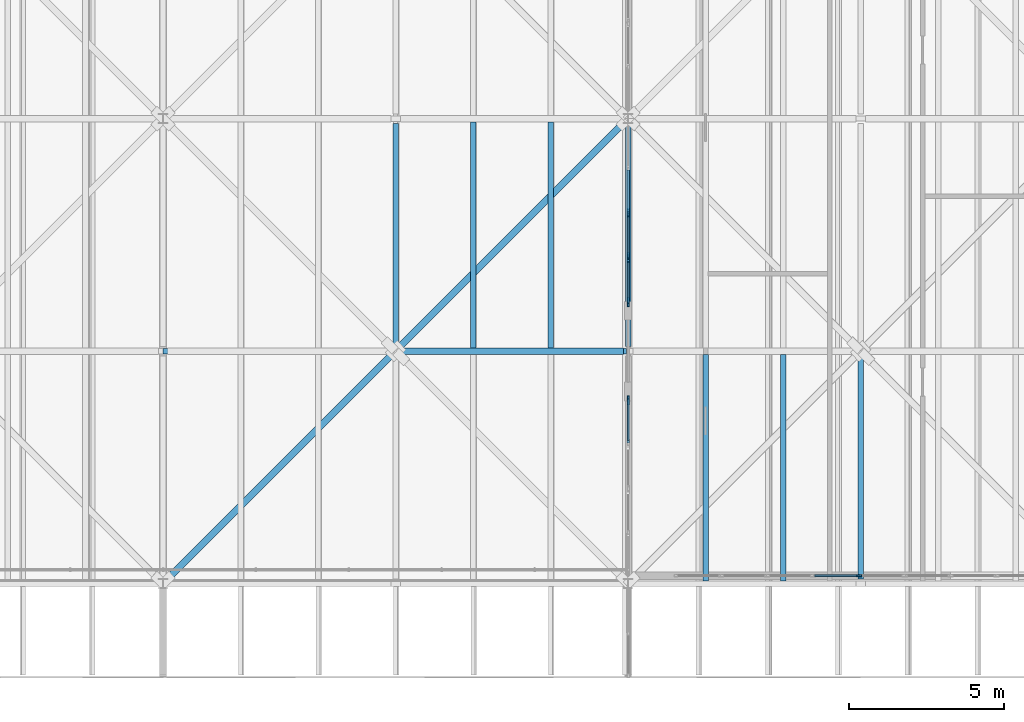
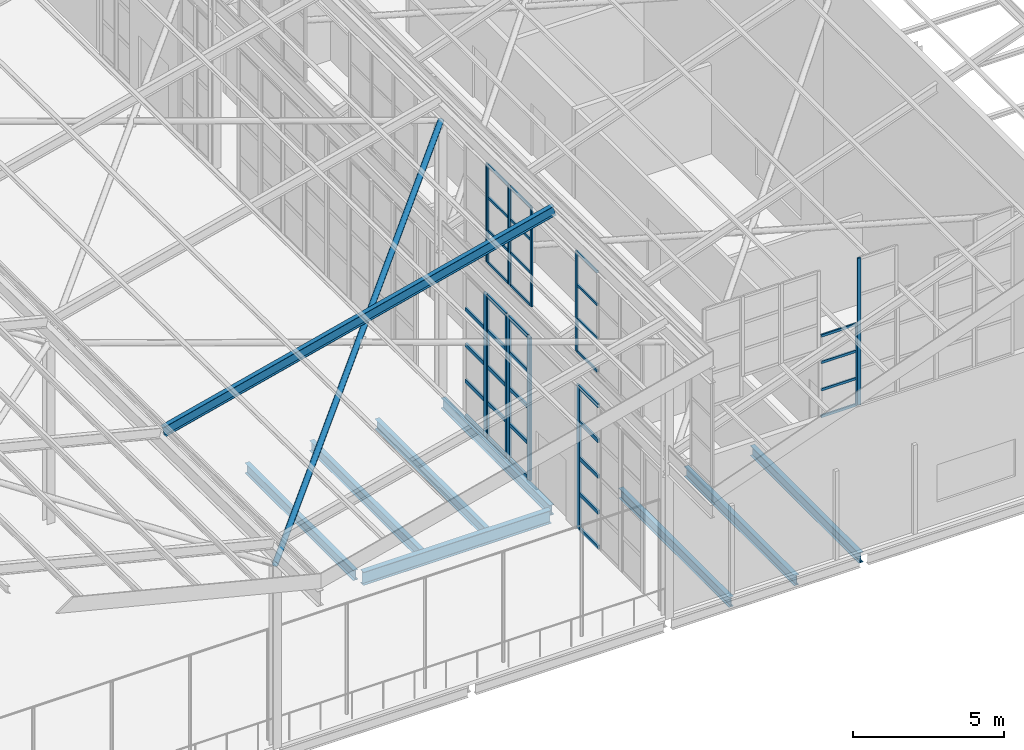
# One storey, part 29 of 483: 51 members, 8 beams, 10 elements without a shape of their own.
"""IFC4 building model written with IfcOpenShell, lengths in metres."""

from ifc_helpers import new_model, si_unit, direction, frame, origin, origin_2d, place, context, subcontext, project, spatial, rectangle, hollow_circle, i_section, extrude, material, material_profile, profile_set, type_object, element, aggregate, save


model = new_model("IFC4")

# Units and contexts
model_context = context("Model", 3, precision=1e-05, world=origin(), true_north=direction((0.0, 1.0)))
body_context = subcontext(model_context, "Body", "Model", "MODEL_VIEW")
ifc_project = project(units=[si_unit("LENGTHUNIT", "METRE"), si_unit("AREAUNIT", "SQUARE_METRE"), si_unit("VOLUMEUNIT", "CUBIC_METRE"), si_unit("PLANEANGLEUNIT", "RADIAN"), si_unit("MASSUNIT", "GRAM", prefix="KILO")], contexts=[model_context])

# Site, building, storey
site_placement = place(None, origin())
site = spatial("IfcSite", under=ifc_project, at=site_placement, CompositionType="ELEMENT")
building_placement = place(site_placement, origin())
building = spatial("IfcBuilding", under=site, at=building_placement, Name="Parallax Yard Mobility Hub", CompositionType="ELEMENT")
storey_placement = place(building_placement, frame((0.0, 0.0, 13.199951171875)))
storey = spatial("IfcBuildingStorey", under=building, at=storey_placement, Name="L04", CompositionType="ELEMENT", Elevation=13.199951171875)

# Curtain wall, member
ifc_material_1 = material(Name="Thermally broken aluminium curtain wall system", Category="aluminium")
curtain_wall_type_1 = type_object("IfcCurtainWallType", Name="Clerestory glazing run 60 x 120 frame", PredefinedType="NOTDEFINED", material=ifc_material_1)
curtain_wall_1_placement = place(storey_placement, origin())
curtain_wall_1 = element("IfcCurtainWall", 1, at=curtain_wall_1_placement, inside=storey, type_object=curtain_wall_type_1, Name="Clerestory glazing run Rooftop sports deck south bay 1 level L04", PredefinedType="NOTDEFINED")
ifc_material_2 = material(Name="Extruded aluminium", Category="aluminium")
ifc_material_profile_1 = material_profile(ifc_material_2, rectangle(XDim=0.06005859375, YDim=0.1201171875, at=origin_2d()), Name="Mullion 60 x 120")
ifc_profile_set_1 = profile_set([ifc_material_profile_1], Name="Extruded aluminium")
member_type_1 = type_object("IfcMemberType", Name="Mullion 60 x 120", PredefinedType="MULLION", material=ifc_profile_set_1)
member_1_placement = place(storey_placement, frame((134.912109375, 7.754638671875, 5.800048828125), z_axis=(0.0, 0.0, 1.0), x_axis=(0.0, 1.0, 0.0)))
member_1 = element("IfcMember", 2, at=member_1_placement, type_object=member_type_1, Name="CW4 mullion 2", PredefinedType="MULLION", context=body_context, shape_type="SweptSolid", body=[
    extrude(rectangle(XDim=0.06005859375, YDim=0.1201171875, at=origin_2d()), origin(), (0.0, 0.0, 1.0), 3.3154296875),
])

curtain_wall_2_placement = place(storey_placement, origin())
curtain_wall_2 = element("IfcCurtainWall", 3, at=curtain_wall_2_placement, inside=storey, type_object=curtain_wall_type_1, Name="Clerestory glazing run Rooftop sports deck south bay 1 level L04", PredefinedType="NOTDEFINED")
member_2_placement = place(storey_placement, frame((134.971923828125, 7.754638671875, 5.800048828125), z_axis=(0.0, 0.0, 1.0), x_axis=(0.0, 1.0, 0.0)))
member_2 = element("IfcMember", 4, at=member_2_placement, type_object=member_type_1, Name="CW4 mullion 1", PredefinedType="MULLION", context=body_context, shape_type="SweptSolid", body=[
    extrude(rectangle(XDim=0.06005859375, YDim=0.1201171875, at=origin_2d()), origin(), (0.0, 0.0, 1.0), 5.938720703125),
])
aggregate(curtain_wall_2, [member_2])

curtain_wall_3_placement = place(storey_placement, origin())
curtain_wall_3 = element("IfcCurtainWall", 5, at=curtain_wall_3_placement, inside=storey, type_object=curtain_wall_type_1, Name="Clerestory glazing run Rooftop sports deck roof step 1 bay 2 level L04", PredefinedType="NOTDEFINED")
member_3_placement = place(storey_placement, frame((127.5, 13.500732421875, 7.087890625), z_axis=(0.0, 0.0, 1.0), x_axis=(-1.0, 0.0, 0.0)))
member_3 = element("IfcMember", 6, at=member_3_placement, type_object=member_type_1, Name="CW4 mullion 2", PredefinedType="MULLION", context=body_context, shape_type="SweptSolid", body=[
    extrude(rectangle(XDim=0.06005859375, YDim=0.1201171875, at=origin_2d()), origin(), (0.0, 0.0, 1.0), 4.071044921875),
])

# Curtain wall, members
curtain_wall_4_placement = place(storey_placement, origin())
curtain_wall_4 = element("IfcCurtainWall", 7, at=curtain_wall_4_placement, inside=storey, type_object=curtain_wall_type_1, Name="Clerestory glazing run Rooftop sports deck roof step 1 bay 2 level L04", PredefinedType="NOTDEFINED")
member_4_placement = place(storey_placement, frame((127.5, 16.499267578125, 7.087890625), z_axis=(0.0, 0.0, 1.0), x_axis=(-1.0, 0.0, 0.0)))
member_4 = element("IfcMember", 8, at=member_4_placement, type_object=member_type_1, Name="CW4 mullion 1", PredefinedType="MULLION", context=body_context, shape_type="SweptSolid", body=[
    extrude(rectangle(XDim=0.06005859375, YDim=0.1201171875, at=origin_2d()), origin(), (0.0, 0.0, 1.0), 4.027099609375),
])
member_5_placement = place(storey_placement, frame((127.5, 17.90869140625, 7.087890625), z_axis=(0.0, 0.0, 1.0), x_axis=(-1.0, 0.0, 0.0)))
member_5 = element("IfcMember", 9, at=member_5_placement, type_object=member_type_1, Name="CW4 mullion 2", PredefinedType="MULLION", context=body_context, shape_type="SweptSolid", body=[
    extrude(rectangle(XDim=0.06005859375, YDim=0.1201171875, at=origin_2d()), origin(), (0.0, 0.0, 1.0), 4.027099609375),
])

curtain_wall_5_placement = place(storey_placement, origin())
curtain_wall_5 = element("IfcCurtainWall", 10, at=curtain_wall_5_placement, inside=storey, type_object=curtain_wall_type_1, Name="Clerestory glazing run Rooftop sports deck roof step 1 bay 2 level L04", PredefinedType="NOTDEFINED")
member_6_placement = place(storey_placement, frame((127.5, 17.968505859375, 7.087890625), z_axis=(0.0, 0.0, 1.0), x_axis=(-1.0, 0.0, 0.0)))
member_6 = element("IfcMember", 11, at=member_6_placement, type_object=member_type_1, Name="CW4 mullion 1", PredefinedType="MULLION", context=body_context, shape_type="SweptSolid", body=[
    extrude(rectangle(XDim=0.06005859375, YDim=0.1201171875, at=origin_2d()), origin(), (0.0, 0.0, 1.0), 4.01220703125),
])
member_7_placement = place(storey_placement, frame((127.5, 19.3779296875, 7.087890625), z_axis=(0.0, 0.0, 1.0), x_axis=(-1.0, 0.0, 0.0)))
member_7 = element("IfcMember", 12, at=member_7_placement, type_object=member_type_1, Name="CW4 mullion 2", PredefinedType="MULLION", context=body_context, shape_type="SweptSolid", body=[
    extrude(rectangle(XDim=0.06005859375, YDim=0.1201171875, at=origin_2d()), origin(), (0.0, 0.0, 1.0), 4.01220703125),
])

# Curtain wall, member
curtain_wall_6_placement = place(storey_placement, origin())
curtain_wall_6 = element("IfcCurtainWall", 13, at=curtain_wall_6_placement, inside=storey, type_object=curtain_wall_type_1, Name="Clerestory glazing run Rooftop sports deck roof step 1 bay 2 level L04", PredefinedType="NOTDEFINED")
member_8_placement = place(storey_placement, frame((127.5, 19.43798828125, 7.087890625), z_axis=(0.0, 0.0, 1.0), x_axis=(-1.0, 0.0, 0.0)))
member_8 = element("IfcMember", 14, at=member_8_placement, type_object=member_type_1, Name="CW4 mullion 1", PredefinedType="MULLION", context=body_context, shape_type="SweptSolid", body=[
    extrude(rectangle(XDim=0.06005859375, YDim=0.1201171875, at=origin_2d()), origin(), (0.0, 0.0, 1.0), 3.998046875),
])
aggregate(curtain_wall_6, [member_8])

curtain_wall_type_2 = type_object("IfcCurtainWallType", Name="Tall curtain wall run 75 x 200 frame", PredefinedType="NOTDEFINED", material=ifc_material_1)
curtain_wall_7_placement = place(storey_placement, origin())
curtain_wall_7 = element("IfcCurtainWall", 15, at=curtain_wall_7_placement, inside=storey, type_object=curtain_wall_type_2, Name="Curtain wall run Rooftop sports deck west bay 1 level L04", PredefinedType="NOTDEFINED")
ifc_material_profile_2 = material_profile(ifc_material_2, rectangle(XDim=0.074951171875, YDim=0.199951171875, at=origin_2d()), Name="Mullion 75 x 200")
ifc_profile_set_2 = profile_set([ifc_material_profile_2], Name="Extruded aluminium")
member_type_2 = type_object("IfcMemberType", Name="Mullion 75 x 200", PredefinedType="MULLION", material=ifc_profile_set_2)
member_9_placement = place(storey_placement, frame((127.5, 13.362548828125, 0.0), z_axis=(0.0, 0.0, 1.0), x_axis=(-1.0, 0.0, 0.0)))
member_9 = element("IfcMember", 16, at=member_9_placement, type_object=member_type_2, Name="CW3 mullion 2", PredefinedType="MULLION", context=body_context, shape_type="SweptSolid", body=[
    extrude(rectangle(XDim=0.074951171875, YDim=0.199951171875, at=origin_2d()), origin(), (0.0, 0.0, 1.0), 5.800048828125),
])

# Curtain wall, members
curtain_wall_8_placement = place(storey_placement, origin())
curtain_wall_8 = element("IfcCurtainWall", 17, at=curtain_wall_8_placement, inside=storey, type_object=curtain_wall_type_2, Name="Curtain wall run Rooftop sports deck west bay 1 level L04", PredefinedType="NOTDEFINED")
member_10_placement = place(storey_placement, frame((127.5, 16.637451171875, 0.0), z_axis=(0.0, 0.0, 1.0), x_axis=(-1.0, 0.0, 0.0)))
member_10 = element("IfcMember", 18, at=member_10_placement, type_object=member_type_2, Name="CW3 mullion 1", PredefinedType="MULLION", context=body_context, shape_type="SweptSolid", body=[
    extrude(rectangle(XDim=0.074951171875, YDim=0.199951171875, at=origin_2d()), origin(), (0.0, 0.0, 1.0), 5.800048828125),
])
member_11_placement = place(storey_placement, frame((127.5, 17.9990234375, 0.0), z_axis=(0.0, 0.0, 1.0), x_axis=(-1.0, 0.0, 0.0)))
member_11 = element("IfcMember", 19, at=member_11_placement, type_object=member_type_2, Name="CW3 mullion 2", PredefinedType="MULLION", context=body_context, shape_type="SweptSolid", body=[
    extrude(rectangle(XDim=0.074951171875, YDim=0.199951171875, at=origin_2d()), origin(), (0.0, 0.0, 1.0), 5.800048828125),
])

curtain_wall_9_placement = place(storey_placement, origin())
curtain_wall_9 = element("IfcCurtainWall", 20, at=curtain_wall_9_placement, inside=storey, type_object=curtain_wall_type_2, Name="Curtain wall run Rooftop sports deck west bay 1 level L04", PredefinedType="NOTDEFINED")
member_12_placement = place(storey_placement, frame((127.5, 18.07421875, 0.0), z_axis=(0.0, 0.0, 1.0), x_axis=(-1.0, 0.0, 0.0)))
member_12 = element("IfcMember", 21, at=member_12_placement, type_object=member_type_2, Name="CW3 mullion 1", PredefinedType="MULLION", context=body_context, shape_type="SweptSolid", body=[
    extrude(rectangle(XDim=0.074951171875, YDim=0.199951171875, at=origin_2d()), origin(), (0.0, 0.0, 1.0), 5.800048828125),
])
member_13_placement = place(storey_placement, frame((127.5, 19.435791015625, 0.0), z_axis=(0.0, 0.0, 1.0), x_axis=(-1.0, 0.0, 0.0)))
member_13 = element("IfcMember", 22, at=member_13_placement, type_object=member_type_2, Name="CW3 mullion 2", PredefinedType="MULLION", context=body_context, shape_type="SweptSolid", body=[
    extrude(rectangle(XDim=0.074951171875, YDim=0.199951171875, at=origin_2d()), origin(), (0.0, 0.0, 1.0), 5.800048828125),
])

# Curtain wall, member
curtain_wall_10_placement = place(storey_placement, origin())
curtain_wall_10 = element("IfcCurtainWall", 23, at=curtain_wall_10_placement, inside=storey, type_object=curtain_wall_type_2, Name="Curtain wall run Rooftop sports deck west bay 1 level L04", PredefinedType="NOTDEFINED")
member_14_placement = place(storey_placement, frame((127.5, 19.5107421875, 0.0), z_axis=(0.0, 0.0, 1.0), x_axis=(-1.0, 0.0, 0.0)))
member_14 = element("IfcMember", 24, at=member_14_placement, type_object=member_type_2, Name="CW3 mullion 1", PredefinedType="MULLION", context=body_context, shape_type="SweptSolid", body=[
    extrude(rectangle(XDim=0.074951171875, YDim=0.199951171875, at=origin_2d()), origin(), (0.0, 0.0, 1.0), 5.800048828125),
])

# Members
ifc_material_3 = material(Name="Steel ASTM A500 Gr C", Category="steel")
ifc_material_profile_3 = material_profile(ifc_material_3, hollow_circle(Radius=0.109619140625, WallThickness=0.008056640625, at=origin_2d()), Name="HSS219.1x8.0")
ifc_profile_set_3 = profile_set([ifc_material_profile_3], Name="Steel ASTM A500 Gr C")
member_type_3 = type_object("IfcMemberType", Name="Roof brace HSS219.1x8.0", PredefinedType="BRACE", material=ifc_profile_set_3)
member_15_placement = place(storey_placement, frame((112.5, 7.5, 7.3603515625), z_axis=(0.697138703766, 0.697138703766, 0.167317827567), x_axis=(-0.707106781187, 0.707106781187, 0.0)))
element("IfcMember", 25, at=member_15_placement, inside=storey, type_object=member_type_3, Name="Roof X brace east wing bay 1 1", PredefinedType="BRACE", context=body_context, shape_type="SweptSolid", body=[
    extrude(hollow_circle(Radius=0.109619140625, WallThickness=0.008056640625, at=origin_2d()), origin(), (0.0, 0.0, 1.0), 21.5166015625),
])
ifc_material_4 = material(Name="Steel ASTM A992", Category="steel")
ifc_material_profile_4 = material_profile(ifc_material_4, i_section(OverallWidth=0.177978515625, OverallDepth=0.406982421875, WebThickness=0.0078125, FlangeThickness=0.0126953125, at=origin_2d()), Name="W410x60")
ifc_profile_set_4 = profile_set([ifc_material_profile_4], Name="Steel ASTM A992")
member_type_4 = type_object("IfcMemberType", Name="Roof rafter W410x60", PredefinedType="RAFTER", material=ifc_profile_set_4)
member_16_placement = place(storey_placement, frame((112.54931640625, 14.998046875, 8.18017578125), z_axis=(0.970142500145, 0.0, 0.242535625036), x_axis=(0.002352689629, 0.999952950131, -0.009410758517)))
element("IfcMember", 26, at=member_16_placement, inside=storey, type_object=member_type_4, Name="Roof rafter court east wing at y 15", PredefinedType="RAFTER", context=body_context, shape_type="SweptSolid", body=[
    extrude(i_section(OverallWidth=0.177978515625, OverallDepth=0.406982421875, WebThickness=0.0078125, FlangeThickness=0.0126953125, at=origin_2d()), origin(), (0.0, 0.0, 1.0), 15.410400390625),
])

# Member
ifc_material_profile_5 = material_profile(ifc_material_2, rectangle(XDim=0.06005859375, YDim=0.10009765625, at=origin_2d()), Name="Transom 60 x 100")
ifc_profile_set_5 = profile_set([ifc_material_profile_5], Name="Extruded aluminium")
member_type_5 = type_object("IfcMemberType", Name="Transom 60 x 100", PredefinedType="USERDEFINED", material=ifc_profile_set_5)
member_17_placement = place(storey_placement, frame((133.52099609375, 7.754638671875, 5.830078125), z_axis=(1.0, 0.0, 0.0), x_axis=(0.0, 1.0, 0.0)))
member_17 = element("IfcMember", 27, at=member_17_placement, type_object=member_type_5, Name="CW4 transom 1.1", ObjectType="TRANSOM", PredefinedType="USERDEFINED", context=body_context, shape_type="SweptSolid", body=[
    extrude(rectangle(XDim=0.06005859375, YDim=0.10009765625, at=origin_2d()), origin(), (0.0, 0.0, 1.0), 1.361083984375),
])

member_18_placement = place(storey_placement, frame((133.52099609375, 7.754638671875, 6.905029296875), z_axis=(1.0, 0.0, 0.0), x_axis=(0.0, 1.0, 0.0)))
member_18 = element("IfcMember", 28, at=member_18_placement, type_object=member_type_5, Name="CW4 transom 1.2", ObjectType="TRANSOM", PredefinedType="USERDEFINED", context=body_context, shape_type="SweptSolid", body=[
    extrude(rectangle(XDim=0.06005859375, YDim=0.10009765625, at=origin_2d()), origin(), (0.0, 0.0, 1.0), 1.361083984375),
])

member_19_placement = place(storey_placement, frame((133.52099609375, 7.754638671875, 8.01025390625), z_axis=(1.0, 0.0, 0.0), x_axis=(0.0, 1.0, 0.0)))
member_19 = element("IfcMember", 29, at=member_19_placement, type_object=member_type_5, Name="CW4 transom 1.3", ObjectType="TRANSOM", PredefinedType="USERDEFINED", context=body_context, shape_type="SweptSolid", body=[
    extrude(rectangle(XDim=0.06005859375, YDim=0.10009765625, at=origin_2d()), origin(), (0.0, 0.0, 1.0), 1.361083984375),
])

member_20_placement = place(storey_placement, frame((133.52099609375, 7.754638671875, 9.08544921875), z_axis=(1.0, 0.0, 0.0), x_axis=(0.0, 1.0, 0.0)))
member_20 = element("IfcMember", 30, at=member_20_placement, type_object=member_type_5, Name="CW4 transom 1.4", ObjectType="TRANSOM", PredefinedType="USERDEFINED", context=body_context, shape_type="SweptSolid", body=[
    extrude(rectangle(XDim=0.06005859375, YDim=0.10009765625, at=origin_2d()), origin(), (0.0, 0.0, 1.0), 1.361083984375),
])

aggregate(curtain_wall_1, [member_1, member_17, member_18, member_19, member_20])

member_21_placement = place(storey_placement, frame((127.5, 12.121337890625, 7.117919921875), z_axis=(0.0, 1.0, 0.0), x_axis=(-1.0, 0.0, 0.0)))
member_21 = element("IfcMember", 31, at=member_21_placement, type_object=member_type_5, Name="CW4 transom 1.1", ObjectType="TRANSOM", PredefinedType="USERDEFINED", context=body_context, shape_type="SweptSolid", body=[
    extrude(rectangle(XDim=0.06005859375, YDim=0.10009765625, at=origin_2d()), origin(), (0.0, 0.0, 1.0), 1.349365234375),
])

member_22_placement = place(storey_placement, frame((127.5, 12.121337890625, 8.445068359375), z_axis=(0.0, 1.0, 0.0), x_axis=(-1.0, 0.0, 0.0)))
member_22 = element("IfcMember", 32, at=member_22_placement, type_object=member_type_5, Name="CW4 transom 1.2", ObjectType="TRANSOM", PredefinedType="USERDEFINED", context=body_context, shape_type="SweptSolid", body=[
    extrude(rectangle(XDim=0.06005859375, YDim=0.10009765625, at=origin_2d()), origin(), (0.0, 0.0, 1.0), 1.349365234375),
])

member_23_placement = place(storey_placement, frame((127.5, 12.121337890625, 9.802001953125), z_axis=(0.0, 1.0, 0.0), x_axis=(-1.0, 0.0, 0.0)))
member_23 = element("IfcMember", 33, at=member_23_placement, type_object=member_type_5, Name="CW4 transom 1.3", ObjectType="TRANSOM", PredefinedType="USERDEFINED", context=body_context, shape_type="SweptSolid", body=[
    extrude(rectangle(XDim=0.06005859375, YDim=0.10009765625, at=origin_2d()), origin(), (0.0, 0.0, 1.0), 1.349365234375),
])

member_24_placement = place(storey_placement, frame((127.5, 12.121337890625, 11.129150390625), z_axis=(0.0, 1.0, 0.0), x_axis=(-1.0, 0.0, 0.0)))
member_24 = element("IfcMember", 34, at=member_24_placement, type_object=member_type_5, Name="CW4 transom 1.4", ObjectType="TRANSOM", PredefinedType="USERDEFINED", context=body_context, shape_type="SweptSolid", body=[
    extrude(rectangle(XDim=0.06005859375, YDim=0.10009765625, at=origin_2d()), origin(), (0.0, 0.0, 1.0), 1.349365234375),
])

aggregate(curtain_wall_3, [member_3, member_21, member_22, member_23, member_24])

member_25_placement = place(storey_placement, frame((127.5, 16.529296875, 7.117919921875), z_axis=(0.0, 1.0, 0.0), x_axis=(-1.0, 0.0, 0.0)))
member_25 = element("IfcMember", 35, at=member_25_placement, type_object=member_type_5, Name="CW4 transom 1.1", ObjectType="TRANSOM", PredefinedType="USERDEFINED", context=body_context, shape_type="SweptSolid", body=[
    extrude(rectangle(XDim=0.06005859375, YDim=0.10009765625, at=origin_2d()), origin(), (0.0, 0.0, 1.0), 1.349365234375),
])

member_26_placement = place(storey_placement, frame((127.5, 16.529296875, 8.43017578125), z_axis=(0.0, 1.0, 0.0), x_axis=(-1.0, 0.0, 0.0)))
member_26 = element("IfcMember", 36, at=member_26_placement, type_object=member_type_5, Name="CW4 transom 1.2", ObjectType="TRANSOM", PredefinedType="USERDEFINED", context=body_context, shape_type="SweptSolid", body=[
    extrude(rectangle(XDim=0.06005859375, YDim=0.10009765625, at=origin_2d()), origin(), (0.0, 0.0, 1.0), 1.349365234375),
])

member_27_placement = place(storey_placement, frame((127.5, 16.529296875, 9.772705078125), z_axis=(0.0, 1.0, 0.0), x_axis=(-1.0, 0.0, 0.0)))
member_27 = element("IfcMember", 37, at=member_27_placement, type_object=member_type_5, Name="CW4 transom 1.3", ObjectType="TRANSOM", PredefinedType="USERDEFINED", context=body_context, shape_type="SweptSolid", body=[
    extrude(rectangle(XDim=0.06005859375, YDim=0.10009765625, at=origin_2d()), origin(), (0.0, 0.0, 1.0), 1.349365234375),
])

member_28_placement = place(storey_placement, frame((127.5, 16.529296875, 11.0849609375), z_axis=(0.0, 1.0, 0.0), x_axis=(-1.0, 0.0, 0.0)))
member_28 = element("IfcMember", 38, at=member_28_placement, type_object=member_type_5, Name="CW4 transom 1.4", ObjectType="TRANSOM", PredefinedType="USERDEFINED", context=body_context, shape_type="SweptSolid", body=[
    extrude(rectangle(XDim=0.06005859375, YDim=0.10009765625, at=origin_2d()), origin(), (0.0, 0.0, 1.0), 1.349365234375),
])

aggregate(curtain_wall_4, [member_4, member_5, member_25, member_26, member_27, member_28])

member_29_placement = place(storey_placement, frame((127.5, 17.99853515625, 7.117919921875), z_axis=(0.0, 1.0, 0.0), x_axis=(-1.0, 0.0, 0.0)))
member_29 = element("IfcMember", 39, at=member_29_placement, type_object=member_type_5, Name="CW4 transom 1.1", ObjectType="TRANSOM", PredefinedType="USERDEFINED", context=body_context, shape_type="SweptSolid", body=[
    extrude(rectangle(XDim=0.06005859375, YDim=0.10009765625, at=origin_2d()), origin(), (0.0, 0.0, 1.0), 1.349365234375),
])

member_30_placement = place(storey_placement, frame((127.5, 17.99853515625, 8.42529296875), z_axis=(0.0, 1.0, 0.0), x_axis=(-1.0, 0.0, 0.0)))
member_30 = element("IfcMember", 40, at=member_30_placement, type_object=member_type_5, Name="CW4 transom 1.2", ObjectType="TRANSOM", PredefinedType="USERDEFINED", context=body_context, shape_type="SweptSolid", body=[
    extrude(rectangle(XDim=0.06005859375, YDim=0.10009765625, at=origin_2d()), origin(), (0.0, 0.0, 1.0), 1.349365234375),
])

member_31_placement = place(storey_placement, frame((127.5, 17.99853515625, 9.7626953125), z_axis=(0.0, 1.0, 0.0), x_axis=(-1.0, 0.0, 0.0)))
member_31 = element("IfcMember", 41, at=member_31_placement, type_object=member_type_5, Name="CW4 transom 1.3", ObjectType="TRANSOM", PredefinedType="USERDEFINED", context=body_context, shape_type="SweptSolid", body=[
    extrude(rectangle(XDim=0.06005859375, YDim=0.10009765625, at=origin_2d()), origin(), (0.0, 0.0, 1.0), 1.349365234375),
])

member_32_placement = place(storey_placement, frame((127.5, 17.99853515625, 11.070068359375), z_axis=(0.0, 1.0, 0.0), x_axis=(-1.0, 0.0, 0.0)))
member_32 = element("IfcMember", 42, at=member_32_placement, type_object=member_type_5, Name="CW4 transom 1.4", ObjectType="TRANSOM", PredefinedType="USERDEFINED", context=body_context, shape_type="SweptSolid", body=[
    extrude(rectangle(XDim=0.06005859375, YDim=0.10009765625, at=origin_2d()), origin(), (0.0, 0.0, 1.0), 1.349365234375),
])

aggregate(curtain_wall_5, [member_6, member_7, member_29, member_30, member_31, member_32])

ifc_material_profile_6 = material_profile(ifc_material_2, rectangle(XDim=0.074951171875, YDim=0.14990234375, at=origin_2d()), Name="Transom 75 x 150")
ifc_profile_set_6 = profile_set([ifc_material_profile_6], Name="Extruded aluminium")
member_type_6 = type_object("IfcMemberType", Name="Transom 75 x 150", PredefinedType="USERDEFINED", material=ifc_profile_set_6)
member_33_placement = place(storey_placement, frame((127.5, 12.038330078125, 0.03759765625), z_axis=(0.0, 1.0, 0.0), x_axis=(-1.0, 0.0, 0.0)))
member_33 = element("IfcMember", 43, at=member_33_placement, type_object=member_type_6, Name="CW3 transom 1.1", ObjectType="TRANSOM", PredefinedType="USERDEFINED", context=body_context, shape_type="SweptSolid", body=[
    extrude(rectangle(XDim=0.074951171875, YDim=0.14990234375, at=origin_2d()), origin(), (0.0, 0.0, 1.0), 1.28662109375),
])

member_34_placement = place(storey_placement, frame((127.5, 12.038330078125, 1.449951171875), z_axis=(0.0, 1.0, 0.0), x_axis=(-1.0, 0.0, 0.0)))
member_34 = element("IfcMember", 44, at=member_34_placement, type_object=member_type_6, Name="CW3 transom 1.2", ObjectType="TRANSOM", PredefinedType="USERDEFINED", context=body_context, shape_type="SweptSolid", body=[
    extrude(rectangle(XDim=0.074951171875, YDim=0.14990234375, at=origin_2d()), origin(), (0.0, 0.0, 1.0), 1.28662109375),
])

member_35_placement = place(storey_placement, frame((127.5, 12.038330078125, 2.900146484375), z_axis=(0.0, 1.0, 0.0), x_axis=(-1.0, 0.0, 0.0)))
member_35 = element("IfcMember", 45, at=member_35_placement, type_object=member_type_6, Name="CW3 transom 1.3", ObjectType="TRANSOM", PredefinedType="USERDEFINED", context=body_context, shape_type="SweptSolid", body=[
    extrude(rectangle(XDim=0.074951171875, YDim=0.14990234375, at=origin_2d()), origin(), (0.0, 0.0, 1.0), 1.28662109375),
])

member_36_placement = place(storey_placement, frame((127.5, 12.038330078125, 4.35009765625), z_axis=(0.0, 1.0, 0.0), x_axis=(-1.0, 0.0, 0.0)))
member_36 = element("IfcMember", 46, at=member_36_placement, type_object=member_type_6, Name="CW3 transom 1.4", ObjectType="TRANSOM", PredefinedType="USERDEFINED", context=body_context, shape_type="SweptSolid", body=[
    extrude(rectangle(XDim=0.074951171875, YDim=0.14990234375, at=origin_2d()), origin(), (0.0, 0.0, 1.0), 1.28662109375),
])

member_37_placement = place(storey_placement, frame((127.5, 12.038330078125, 5.762451171875), z_axis=(0.0, 1.0, 0.0), x_axis=(-1.0, 0.0, 0.0)))
member_37 = element("IfcMember", 47, at=member_37_placement, type_object=member_type_6, Name="CW3 transom 1.5", ObjectType="TRANSOM", PredefinedType="USERDEFINED", context=body_context, shape_type="SweptSolid", body=[
    extrude(rectangle(XDim=0.074951171875, YDim=0.14990234375, at=origin_2d()), origin(), (0.0, 0.0, 1.0), 1.28662109375),
])

aggregate(curtain_wall_7, [member_9, member_33, member_34, member_35, member_36, member_37])

member_38_placement = place(storey_placement, frame((127.5, 16.675048828125, 0.03759765625), z_axis=(0.0, 1.0, 0.0), x_axis=(-1.0, 0.0, 0.0)))
member_38 = element("IfcMember", 48, at=member_38_placement, type_object=member_type_6, Name="CW3 transom 1.1", ObjectType="TRANSOM", PredefinedType="USERDEFINED", context=body_context, shape_type="SweptSolid", body=[
    extrude(rectangle(XDim=0.074951171875, YDim=0.14990234375, at=origin_2d()), origin(), (0.0, 0.0, 1.0), 1.28662109375),
])

member_39_placement = place(storey_placement, frame((127.5, 16.675048828125, 1.449951171875), z_axis=(0.0, 1.0, 0.0), x_axis=(-1.0, 0.0, 0.0)))
member_39 = element("IfcMember", 49, at=member_39_placement, type_object=member_type_6, Name="CW3 transom 1.2", ObjectType="TRANSOM", PredefinedType="USERDEFINED", context=body_context, shape_type="SweptSolid", body=[
    extrude(rectangle(XDim=0.074951171875, YDim=0.14990234375, at=origin_2d()), origin(), (0.0, 0.0, 1.0), 1.28662109375),
])

member_40_placement = place(storey_placement, frame((127.5, 16.675048828125, 2.900146484375), z_axis=(0.0, 1.0, 0.0), x_axis=(-1.0, 0.0, 0.0)))
member_40 = element("IfcMember", 50, at=member_40_placement, type_object=member_type_6, Name="CW3 transom 1.3", ObjectType="TRANSOM", PredefinedType="USERDEFINED", context=body_context, shape_type="SweptSolid", body=[
    extrude(rectangle(XDim=0.074951171875, YDim=0.14990234375, at=origin_2d()), origin(), (0.0, 0.0, 1.0), 1.28662109375),
])

member_41_placement = place(storey_placement, frame((127.5, 16.675048828125, 4.35009765625), z_axis=(0.0, 1.0, 0.0), x_axis=(-1.0, 0.0, 0.0)))
member_41 = element("IfcMember", 51, at=member_41_placement, type_object=member_type_6, Name="CW3 transom 1.4", ObjectType="TRANSOM", PredefinedType="USERDEFINED", context=body_context, shape_type="SweptSolid", body=[
    extrude(rectangle(XDim=0.074951171875, YDim=0.14990234375, at=origin_2d()), origin(), (0.0, 0.0, 1.0), 1.28662109375),
])

member_42_placement = place(storey_placement, frame((127.5, 16.675048828125, 5.762451171875), z_axis=(0.0, 1.0, 0.0), x_axis=(-1.0, 0.0, 0.0)))
member_42 = element("IfcMember", 52, at=member_42_placement, type_object=member_type_6, Name="CW3 transom 1.5", ObjectType="TRANSOM", PredefinedType="USERDEFINED", context=body_context, shape_type="SweptSolid", body=[
    extrude(rectangle(XDim=0.074951171875, YDim=0.14990234375, at=origin_2d()), origin(), (0.0, 0.0, 1.0), 1.28662109375),
])

aggregate(curtain_wall_8, [member_10, member_11, member_38, member_39, member_40, member_41, member_42])

member_43_placement = place(storey_placement, frame((127.5, 18.111572265625, 0.03759765625), z_axis=(0.0, 1.0, 0.0), x_axis=(-1.0, 0.0, 0.0)))
member_43 = element("IfcMember", 53, at=member_43_placement, type_object=member_type_6, Name="CW3 transom 1.1", ObjectType="TRANSOM", PredefinedType="USERDEFINED", context=body_context, shape_type="SweptSolid", body=[
    extrude(rectangle(XDim=0.074951171875, YDim=0.14990234375, at=origin_2d()), origin(), (0.0, 0.0, 1.0), 1.28662109375),
])

member_44_placement = place(storey_placement, frame((127.5, 18.111572265625, 1.449951171875), z_axis=(0.0, 1.0, 0.0), x_axis=(-1.0, 0.0, 0.0)))
member_44 = element("IfcMember", 54, at=member_44_placement, type_object=member_type_6, Name="CW3 transom 1.2", ObjectType="TRANSOM", PredefinedType="USERDEFINED", context=body_context, shape_type="SweptSolid", body=[
    extrude(rectangle(XDim=0.074951171875, YDim=0.14990234375, at=origin_2d()), origin(), (0.0, 0.0, 1.0), 1.28662109375),
])

member_45_placement = place(storey_placement, frame((127.5, 18.111572265625, 2.900146484375), z_axis=(0.0, 1.0, 0.0), x_axis=(-1.0, 0.0, 0.0)))
member_45 = element("IfcMember", 55, at=member_45_placement, type_object=member_type_6, Name="CW3 transom 1.3", ObjectType="TRANSOM", PredefinedType="USERDEFINED", context=body_context, shape_type="SweptSolid", body=[
    extrude(rectangle(XDim=0.074951171875, YDim=0.14990234375, at=origin_2d()), origin(), (0.0, 0.0, 1.0), 1.28662109375),
])

member_46_placement = place(storey_placement, frame((127.5, 18.111572265625, 4.35009765625), z_axis=(0.0, 1.0, 0.0), x_axis=(-1.0, 0.0, 0.0)))
member_46 = element("IfcMember", 56, at=member_46_placement, type_object=member_type_6, Name="CW3 transom 1.4", ObjectType="TRANSOM", PredefinedType="USERDEFINED", context=body_context, shape_type="SweptSolid", body=[
    extrude(rectangle(XDim=0.074951171875, YDim=0.14990234375, at=origin_2d()), origin(), (0.0, 0.0, 1.0), 1.28662109375),
])

member_47_placement = place(storey_placement, frame((127.5, 18.111572265625, 5.762451171875), z_axis=(0.0, 1.0, 0.0), x_axis=(-1.0, 0.0, 0.0)))
member_47 = element("IfcMember", 57, at=member_47_placement, type_object=member_type_6, Name="CW3 transom 1.5", ObjectType="TRANSOM", PredefinedType="USERDEFINED", context=body_context, shape_type="SweptSolid", body=[
    extrude(rectangle(XDim=0.074951171875, YDim=0.14990234375, at=origin_2d()), origin(), (0.0, 0.0, 1.0), 1.28662109375),
])

aggregate(curtain_wall_9, [member_12, member_13, member_43, member_44, member_45, member_46, member_47])

member_48_placement = place(storey_placement, frame((127.5, 19.54833984375, 0.03759765625), z_axis=(0.0, 1.0, 0.0), x_axis=(-1.0, 0.0, 0.0)))
member_48 = element("IfcMember", 58, at=member_48_placement, type_object=member_type_6, Name="CW3 transom 1.1", ObjectType="TRANSOM", PredefinedType="USERDEFINED", context=body_context, shape_type="SweptSolid", body=[
    extrude(rectangle(XDim=0.074951171875, YDim=0.14990234375, at=origin_2d()), origin(), (0.0, 0.0, 1.0), 1.28662109375),
])

member_49_placement = place(storey_placement, frame((127.5, 19.54833984375, 1.449951171875), z_axis=(0.0, 1.0, 0.0), x_axis=(-1.0, 0.0, 0.0)))
member_49 = element("IfcMember", 59, at=member_49_placement, type_object=member_type_6, Name="CW3 transom 1.2", ObjectType="TRANSOM", PredefinedType="USERDEFINED", context=body_context, shape_type="SweptSolid", body=[
    extrude(rectangle(XDim=0.074951171875, YDim=0.14990234375, at=origin_2d()), origin(), (0.0, 0.0, 1.0), 1.28662109375),
])

member_50_placement = place(storey_placement, frame((127.5, 19.54833984375, 2.900146484375), z_axis=(0.0, 1.0, 0.0), x_axis=(-1.0, 0.0, 0.0)))
member_50 = element("IfcMember", 60, at=member_50_placement, type_object=member_type_6, Name="CW3 transom 1.3", ObjectType="TRANSOM", PredefinedType="USERDEFINED", context=body_context, shape_type="SweptSolid", body=[
    extrude(rectangle(XDim=0.074951171875, YDim=0.14990234375, at=origin_2d()), origin(), (0.0, 0.0, 1.0), 1.28662109375),
])

member_51_placement = place(storey_placement, frame((127.5, 19.54833984375, 4.35009765625), z_axis=(0.0, 1.0, 0.0), x_axis=(-1.0, 0.0, 0.0)))
member_51 = element("IfcMember", 61, at=member_51_placement, type_object=member_type_6, Name="CW3 transom 1.4", ObjectType="TRANSOM", PredefinedType="USERDEFINED", context=body_context, shape_type="SweptSolid", body=[
    extrude(rectangle(XDim=0.074951171875, YDim=0.14990234375, at=origin_2d()), origin(), (0.0, 0.0, 1.0), 1.28662109375),
])

aggregate(curtain_wall_10, [member_14, member_48, member_49, member_50, member_51])

# Beams
ifc_material_profile_7 = material_profile(ifc_material_4, i_section(OverallWidth=0.177978515625, OverallDepth=0.406005859375, WebThickness=0.0078125, FlangeThickness=0.0126953125, FilletRadius=0.01025390625, at=origin_2d()), Name="W410x60")
ifc_profile_set_7 = profile_set([ifc_material_profile_7], Name="Steel ASTM A992")
beam_type_1 = type_object("IfcBeamType", Name="W410x60 secondary beam", PredefinedType="JOIST", material=ifc_profile_set_7)
beam_1_placement = place(storey_placement, frame((122.5, 15.1044921875, -0.343017578125), z_axis=(0.0, 1.0, 0.0), x_axis=(-1.0, 0.0, 0.0)))
element("IfcBeam", 62, at=beam_1_placement, inside=storey, type_object=beam_type_1, Name="Secondary beam B1 level L04, 2.5 m east of line 17 of mobility service centre and workshops, span 2", PredefinedType="JOIST", context=body_context, shape_type="SweptSolid", body=[
    extrude(i_section(OverallWidth=0.177978515625, OverallDepth=0.406005859375, WebThickness=0.0078125, FlangeThickness=0.0126953125, FilletRadius=0.01025390625, at=origin_2d()), origin(), (0.0, 0.0, 1.0), 7.291015625),
])
beam_2_placement = place(storey_placement, frame((130.0, 7.589599609375, -0.343017578125), z_axis=(0.0, 1.0, 0.0), x_axis=(-1.0, 0.0, 0.0)))
element("IfcBeam", 63, at=beam_2_placement, inside=storey, type_object=beam_type_1, Name="Secondary beam B1 level L04, 2.5 m east of line 18 of mobility service centre and workshops, span 1", PredefinedType="JOIST", context=body_context, shape_type="SweptSolid", body=[
    extrude(i_section(OverallWidth=0.177978515625, OverallDepth=0.406005859375, WebThickness=0.0078125, FlangeThickness=0.0126953125, FilletRadius=0.01025390625, at=origin_2d()), origin(), (0.0, 0.0, 1.0), 7.305908203125),
])
beam_3_placement = place(storey_placement, frame((125.0, 15.1044921875, -0.343017578125), z_axis=(0.0, 1.0, 0.0), x_axis=(-1.0, 0.0, 0.0)))
element("IfcBeam", 64, at=beam_3_placement, inside=storey, type_object=beam_type_1, Name="Secondary beam B1 level L04, 5 m east of line 17 of mobility service centre and workshops, span 2", PredefinedType="JOIST", context=body_context, shape_type="SweptSolid", body=[
    extrude(i_section(OverallWidth=0.177978515625, OverallDepth=0.406005859375, WebThickness=0.0078125, FlangeThickness=0.0126953125, FilletRadius=0.01025390625, at=origin_2d()), origin(), (0.0, 0.0, 1.0), 7.291015625),
])
beam_4_placement = place(storey_placement, frame((132.5, 7.589599609375, -0.343017578125), z_axis=(0.0, 1.0, 0.0), x_axis=(-1.0, 0.0, 0.0)))
element("IfcBeam", 65, at=beam_4_placement, inside=storey, type_object=beam_type_1, Name="Secondary beam B1 level L04, 5 m east of line 18 of mobility service centre and workshops, span 1", PredefinedType="JOIST", context=body_context, shape_type="SweptSolid", body=[
    extrude(i_section(OverallWidth=0.177978515625, OverallDepth=0.406005859375, WebThickness=0.0078125, FlangeThickness=0.0126953125, FilletRadius=0.01025390625, at=origin_2d()), origin(), (0.0, 0.0, 1.0), 7.305908203125),
])
ifc_material_profile_8 = material_profile(ifc_material_4, i_section(OverallWidth=0.178955078125, OverallDepth=0.408935546875, WebThickness=0.0087890625, FlangeThickness=0.014404296875, FilletRadius=0.01025390625, at=origin_2d()), Name="W410x67")
ifc_profile_set_8 = profile_set([ifc_material_profile_8], Name="Steel ASTM A992")
beam_type_2 = type_object("IfcBeamType", Name="W410x67 girder", PredefinedType="BEAM", material=ifc_profile_set_8)
for number, where, z_axis, x_axis, name in (
    (66, (120.0, 15.153564453125, -0.344482421875), (0.0, 1.0, 0.0), (-1.0, 0.0, 0.0), "Girder G1 level L04, line 17 of mobility service centre and workshops, span 2"),
    (67, (127.5, 15.153564453125, -0.344482421875), (0.0, 1.0, 0.0), (-1.0, 0.0, 0.0), "Girder G1 level L04, line 18 of mobility service centre and workshops, span 2"),
    (68, (135.0, 7.653564453125, -0.344482421875), (0.0, 1.0, 0.0), (-1.0, 0.0, 0.0), "Girder G1 level L04, line 19 of mobility service centre and workshops, span 1"),
):
    element("IfcBeam", number, at=place(storey_placement, frame(where, z_axis=z_axis, x_axis=x_axis)), inside=storey, type_object=beam_type_2, Name=name, PredefinedType="BEAM", context=body_context, shape_type="SweptSolid", body=[
        extrude(i_section(OverallWidth=0.178955078125, OverallDepth=0.408935546875, WebThickness=0.0087890625, FlangeThickness=0.014404296875, FilletRadius=0.01025390625, at=origin_2d()), origin(), (0.0, 0.0, 1.0), 7.19287109375),
    ])
ifc_material_profile_9 = material_profile(ifc_material_4, i_section(OverallWidth=0.208984375, OverallDepth=0.532958984375, WebThickness=0.01025390625, FlangeThickness=0.015625, FilletRadius=0.0126953125, at=origin_2d()), Name="W530x92")
ifc_profile_set_9 = profile_set([ifc_material_profile_9], Name="Steel ASTM A992")
beam_type_3 = type_object("IfcBeamType", Name="W530x92 longitudinal beam", PredefinedType="BEAM", material=ifc_profile_set_9)
beam_5_placement = place(storey_placement, frame((120.152587890625, 15.0, -0.406494140625), z_axis=(1.0, 0.0, 0.0), x_axis=(0.0, 1.0, 0.0)))
element("IfcBeam", 69, at=beam_5_placement, inside=storey, type_object=beam_type_3, Name="Longitudinal beam SB6 level L04, line C of mobility service centre and workshops, span 4", PredefinedType="BEAM", context=body_context, shape_type="SweptSolid", body=[
    extrude(i_section(OverallWidth=0.208984375, OverallDepth=0.532958984375, WebThickness=0.01025390625, FlangeThickness=0.015625, FilletRadius=0.0126953125, at=origin_2d()), origin(), (0.0, 0.0, 1.0), 7.19482421875),
])

save(model, "model.ifc")
